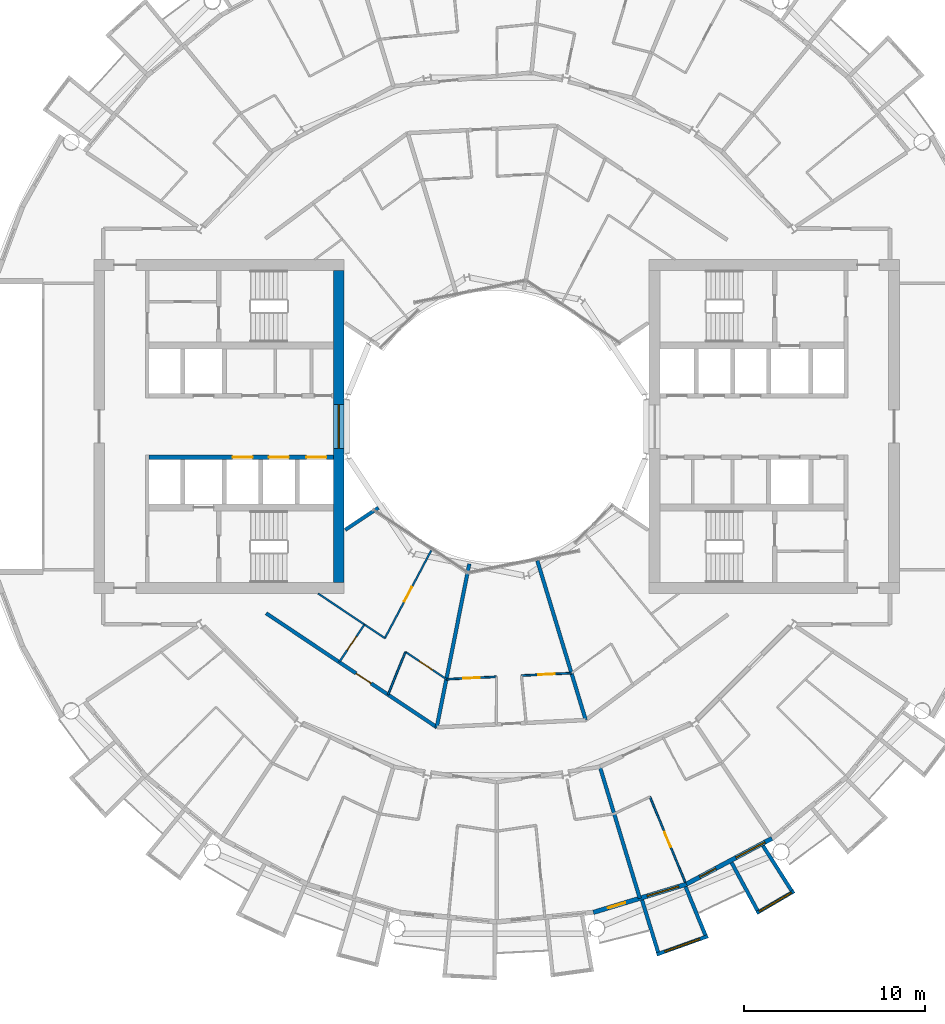
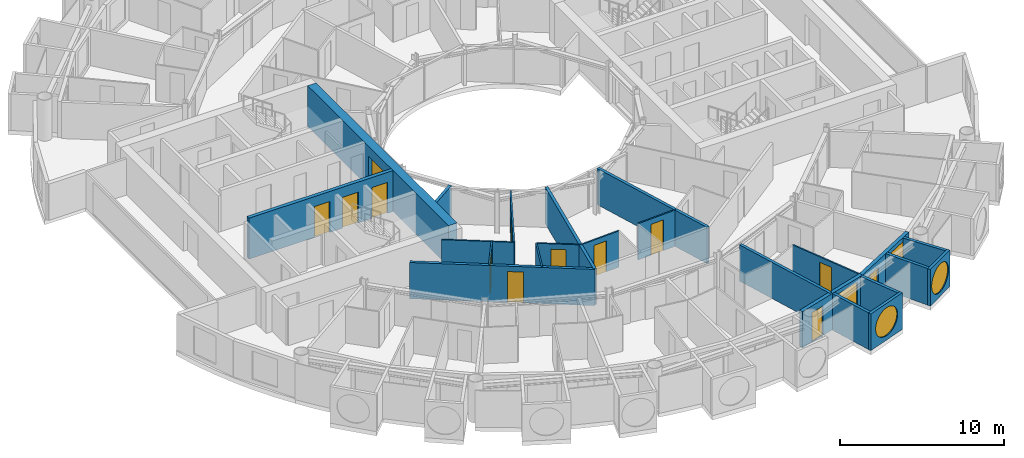
# One storey, part 16 of 26: 23 walls, 12 doors, 5 windows, 17 openings.
"""IFC4 building model written with IfcOpenShell, lengths in metres."""

from ifc_helpers import new_model, si_unit, direction, frame, frame_2d, origin, place, context, subcontext, project, spatial, rectangle, circle, extrude, material, layer, layer_set, type_object, element, fill, save


model = new_model("IFC4")

# Units and contexts
model_context = context("Model", 3, precision=1e-05, world=origin(), true_north=direction((0.0, 1.0)))
body_context = subcontext(model_context, "Body", "Model", "MODEL_VIEW")
ifc_project = project(units=[si_unit("LENGTHUNIT", "METRE"), si_unit("AREAUNIT", "SQUARE_METRE"), si_unit("VOLUMEUNIT", "CUBIC_METRE"), si_unit("PLANEANGLEUNIT", "RADIAN"), si_unit("MASSUNIT", "GRAM", prefix="KILO")], contexts=[model_context])

# Site, building, storey
site_placement = place(None, origin())
site = spatial("IfcSite", under=ifc_project, at=site_placement, CompositionType="ELEMENT")
building_placement = place(site_placement, origin())
building = spatial("IfcBuilding", under=site, at=building_placement, Name="Maasbend Ring Residences", CompositionType="ELEMENT")
storey_placement = place(building_placement, frame((0.0, 0.0, 123.85009765625)))
storey = spatial("IfcBuildingStorey", under=building, at=storey_placement, Name="L35", CompositionType="ELEMENT", Elevation=123.85009765625)

# Wall, openings, doors
ifc_material_1 = material(Name="Concrete C60/75", Category="concrete")
ifc_layer_1 = layer(ifc_material_1, 0.25)
ifc_layer_set_1 = layer_set([ifc_layer_1], Name="Concrete C60/75")
wall_type_1 = type_object("IfcWallType", Name="CORE WALL 250 C60/75", PredefinedType="SHEAR", material=ifc_layer_set_1)
wall_1_placement = place(storey_placement, frame((-9.0, -1.699951171875, 0.0), z_axis=(0.0, 0.0, 1.0), x_axis=(-1.0, 0.0, 0.0)))
wall_1 = element("IfcWall", 1, at=wall_1_placement, inside=storey, type_object=wall_type_1, Name="L35 core W wall SPN", PredefinedType="SHEAR", context=body_context, shape_type="SweptSolid", body=[
    extrude(rectangle(XDim=10.14990234375, YDim=0.25, at=frame_2d((5.074951171875, 0.0))), origin(), (0.0, 0.0, 1.0), 3.0498046875),
])
opening_1_placement = place(wall_1_placement, frame((0.387451171875, 0.0, 0.0)))
opening_1 = element("IfcOpeningElement", 2, at=opening_1_placement, cuts=wall_1, Name="Opening LD-W3501", PredefinedType="OPENING", context=body_context, shape_type="SweptSolid", body=[
    extrude(rectangle(XDim=1.10009765625, YDim=2.300048828125, at=frame_2d((0.550048828125, 1.14990234375))), frame((0.0, 0.135009765625, 0.0), z_axis=(0.0, -1.0, 0.0), x_axis=(1.0, 0.0, 0.0)), (0.0, 0.0, 1.0), 0.27001953125),
])
opening_2_placement = place(wall_1_placement, frame((2.449951171875, 0.0, 0.0)))
opening_2 = element("IfcOpeningElement", 3, at=opening_2_placement, cuts=wall_1, Name="Opening LD-W3502", PredefinedType="OPENING", context=body_context, shape_type="SweptSolid", body=[
    extrude(rectangle(XDim=1.10009765625, YDim=2.300048828125, at=frame_2d((0.550048828125, 1.14990234375))), frame((0.0, 0.135009765625, 0.0), z_axis=(0.0, -1.0, 0.0), x_axis=(1.0, 0.0, 0.0)), (0.0, 0.0, 1.0), 0.27001953125),
])
opening_3_placement = place(wall_1_placement, frame((4.449951171875, 0.0, 0.0)))
opening_3 = element("IfcOpeningElement", 4, at=opening_3_placement, cuts=wall_1, Name="Opening LD-W3503", PredefinedType="OPENING", context=body_context, shape_type="SweptSolid", body=[
    extrude(rectangle(XDim=1.10009765625, YDim=2.300048828125, at=frame_2d((0.550048828125, 1.14990234375))), frame((0.0, 0.135009765625, 0.0), z_axis=(0.0, -1.0, 0.0), x_axis=(1.0, 0.0, 0.0)), (0.0, 0.0, 1.0), 0.27001953125),
])
ifc_material_2 = material(Name="Stainless steel 316", Category="steel")
door_type_1 = type_object("IfcDoorType", Name="LANDING DOOR 1100 X 2300 FD60", OperationType="DOUBLE_DOOR_SLIDING", PredefinedType="DOOR", material=ifc_material_2)
door_1_placement = place(opening_1_placement, origin())
door_1 = element("IfcDoor", 5, at=door_1_placement, inside=storey, type_object=door_type_1, Name="Landing door LR-W1 L35", OperationType="DOUBLE_DOOR_SLIDING", OverallHeight=2.300048828125, OverallWidth=1.10009765625, PredefinedType="DOOR", context=body_context, shape_type="SweptSolid", body=[
    extrude(rectangle(XDim=1.10009765625, YDim=2.300048828125, at=frame_2d((0.550048828125, 1.14990234375))), frame((0.0, 0.02490234375, 0.0), z_axis=(0.0, -1.0, 0.0), x_axis=(1.0, 0.0, 0.0)), (0.0, 0.0, 1.0), 0.050048828125),
])
fill(opening_1, door_1)
door_2_placement = place(opening_2_placement, origin())
door_2 = element("IfcDoor", 6, at=door_2_placement, inside=storey, type_object=door_type_1, Name="Landing door LR-W2 L35", OperationType="DOUBLE_DOOR_SLIDING", OverallHeight=2.300048828125, OverallWidth=1.10009765625, PredefinedType="DOOR", context=body_context, shape_type="SweptSolid", body=[
    extrude(rectangle(XDim=1.10009765625, YDim=2.300048828125, at=frame_2d((0.550048828125, 1.14990234375))), frame((0.0, 0.02490234375, 0.0), z_axis=(0.0, -1.0, 0.0), x_axis=(1.0, 0.0, 0.0)), (0.0, 0.0, 1.0), 0.050048828125),
])
fill(opening_2, door_2)
door_3_placement = place(opening_3_placement, origin())
door_3 = element("IfcDoor", 7, at=door_3_placement, inside=storey, type_object=door_type_1, Name="Landing door LR-W3 L35", OperationType="DOUBLE_DOOR_SLIDING", OverallHeight=2.300048828125, OverallWidth=1.10009765625, PredefinedType="DOOR", context=body_context, shape_type="SweptSolid", body=[
    extrude(rectangle(XDim=1.10009765625, YDim=2.300048828125, at=frame_2d((0.550048828125, 1.14990234375))), frame((0.0, 0.02490234375, 0.0), z_axis=(0.0, -1.0, 0.0), x_axis=(1.0, 0.0, 0.0)), (0.0, 0.0, 1.0), 0.050048828125),
])
fill(opening_3, door_3)

# Wall, opening, window
ifc_material_3 = material(Name="Concrete C60/75", Category="concrete")
ifc_layer_2 = layer(ifc_material_3, 0.60009765625)
ifc_layer_set_2 = layer_set([ifc_layer_2], Name="Concrete C60/75")
wall_type_2 = type_object("IfcWallType", Name="CORE WALL 600 C60/75", PredefinedType="SHEAR", material=ifc_layer_set_2)
wall_2_placement = place(storey_placement, frame((-8.699951171875, 8.60009765625, 0.0), z_axis=(0.0, 0.0, 1.0), x_axis=(0.0, -1.0, 0.0)))
wall_2 = element("IfcWall", 8, at=wall_2_placement, inside=storey, type_object=wall_type_2, Name="L35 core W wall PIN", PredefinedType="SHEAR", context=body_context, shape_type="SweptSolid", body=[
    extrude(rectangle(XDim=17.2001953125, YDim=0.60009765625, at=frame_2d((8.60009765625, 0.0))), origin(), (0.0, 0.0, 1.0), 3.0498046875),
])
opening_4_placement = place(wall_2_placement, frame((7.39990234375, 0.0, 0.10009765625)))
opening_4 = element("IfcOpeningElement", 9, at=opening_4_placement, cuts=wall_2, Name="Opening W-W3501", PredefinedType="OPENING", context=body_context, shape_type="SweptSolid", body=[
    extrude(rectangle(XDim=2.39990234375, YDim=2.199951171875, at=frame_2d((1.199951171875, 1.10009765625))), frame((0.0, 0.31005859375, 0.0), z_axis=(0.0, -1.0, 0.0), x_axis=(1.0, 0.0, 0.0)), (0.0, 0.0, 1.0), 0.6201171875),
])
ifc_material_4 = material(Name="Aluminium frame and clear glass", Category="aluminium")
window_type_1 = type_object("IfcWindowType", Name="FIXED WINDOW 2400 X 2200", PartitioningType="SINGLE_PANEL", PredefinedType="WINDOW", material=ifc_material_4)
window_1_placement = place(opening_4_placement, origin())
window_1 = element("IfcWindow", 10, at=window_1_placement, inside=storey, type_object=window_type_1, Name="Lobby window L35", OverallHeight=2.199951171875, OverallWidth=2.39990234375, PartitioningType="SINGLE_PANEL", PredefinedType="WINDOW", context=body_context, shape_type="SweptSolid", body=[
    extrude(rectangle(XDim=2.39990234375, YDim=2.199951171875, at=frame_2d((1.199951171875, 1.10009765625))), frame((0.0, 0.030029296875, 0.0), z_axis=(0.0, -1.0, 0.0), x_axis=(1.0, 0.0, 0.0)), (0.0, 0.0, 1.0), 0.06005859375),
])
fill(opening_4, window_1)

# Wall, opening, door
ifc_material_5 = material(Name="Concrete C30/37", Category="concrete")
ifc_layer_3 = layer(ifc_material_5, 0.199951171875)
ifc_layer_set_3 = layer_set([ifc_layer_3], Name="Concrete C30/37")
wall_type_3 = type_object("IfcWallType", Name="CORRIDOR WALL 200 CONCRETE", PredefinedType="PARTITIONING", material=ifc_layer_set_3)
wall_3_placement = place(storey_placement, frame((-12.7060546875, -10.291015625, 0.0), z_axis=(0.0, 0.0, 1.0), x_axis=(0.831588572532, -0.555392155178, 0.0)))
wall_3 = element("IfcWall", 11, at=wall_3_placement, inside=storey, type_object=wall_type_3, Name="U-L35-w025", PredefinedType="PARTITIONING", context=body_context, shape_type="SweptSolid", body=[
    extrude(rectangle(XDim=11.314453125, YDim=0.199951171875, at=frame_2d((5.6572265625, 0.0))), origin(), (0.0, 0.0, 1.0), 2.699951171875),
])
opening_5_placement = place(wall_3_placement, frame((5.966064453125, 0.0, 0.0)))
opening_5 = element("IfcOpeningElement", 12, at=opening_5_placement, cuts=wall_3, Name="Opening D-3552", PredefinedType="OPENING", context=body_context, shape_type="SweptSolid", body=[
    extrude(rectangle(XDim=1.0, YDim=2.300048828125, at=frame_2d((0.5, 1.14990234375))), frame((0.0, 0.10986328125, 0.0), z_axis=(0.0, -1.0, 0.0), x_axis=(1.0, 0.0, 0.0)), (0.0, 0.0, 1.0), 0.219970703125),
])
ifc_material_6 = material(Name="Timber, fire-rated, painted", Category="wood")
door_type_2 = type_object("IfcDoorType", Name="FLAT ENTRANCE DOOR 1000 X 2300 FIRE-RATED", OperationType="NOTDEFINED", PredefinedType="DOOR", material=ifc_material_6)
door_4_placement = place(opening_5_placement, origin())
door_4 = element("IfcDoor", 13, at=door_4_placement, inside=storey, type_object=door_type_2, Name="D-3552", OperationType="SINGLE_SWING_RIGHT", OverallHeight=2.300048828125, OverallWidth=1.0, PredefinedType="DOOR", context=body_context, shape_type="SweptSolid", body=[
    extrude(rectangle(XDim=1.0, YDim=2.300048828125, at=frame_2d((0.5, 1.14990234375))), frame((0.0, 0.02490234375, 0.0), z_axis=(0.0, -1.0, 0.0), x_axis=(1.0, 0.0, 0.0)), (0.0, 0.0, 1.0), 0.050048828125),
])
fill(opening_5, door_4)

# Wall, opening, window
ifc_material_7 = material(Name="Pale anodised aluminium panel", Category="aluminium")
ifc_layer_4 = layer(ifc_material_7, 0.199951171875)
ifc_layer_set_4 = layer_set([ifc_layer_4], Name="EW-BOX")
wall_type_4 = type_object("IfcWallType", Name="EW-BOX", PredefinedType="SOLIDWALL", material=ifc_layer_set_4)
wall_4_placement = place(storey_placement, frame((8.820068359375, -29.093017578125, -0.030029296875), z_axis=(0.0, 0.0, 1.0), x_axis=(0.941461077774, 0.337121697664, 0.0)))
wall_4 = element("IfcWall", 14, at=wall_4_placement, inside=storey, type_object=wall_type_4, Name="Box front S14", PredefinedType="SOLIDWALL", context=body_context, shape_type="SweptSolid", body=[
    extrude(rectangle(XDim=2.9931640625, YDim=0.199951171875, at=frame_2d((1.49658203125, 0.0))), origin(), (0.0, 0.0, 1.0), 2.72998046875),
])
opening_6_placement = place(wall_4_placement, frame((0.45654296875, 0.0, 0.330078125)))
opening_6 = element("IfcOpeningElement", 15, at=opening_6_placement, cuts=wall_4, Name="Opening W-RD", PredefinedType="OPENING", context=body_context, shape_type="SweptSolid", body=[
    extrude(circle(Radius=1.0400390625, at=frame_2d((1.0400390625, 1.0400390625))), frame((0.0, 0.10986328125, 0.0), z_axis=(0.0, -1.0, 0.0), x_axis=(1.0, 0.0, 0.0)), (0.0, 0.0, 1.0), 0.219970703125),
])
ifc_material_8 = material(Name="Aluminium and clear glass", Category="aluminium")
window_type_2 = type_object("IfcWindowType", Name="W-RD", PartitioningType="SINGLE_PANEL", PredefinedType="WINDOW", material=ifc_material_8)
window_2_placement = place(opening_6_placement, origin())
window_2 = element("IfcWindow", 16, at=window_2_placement, inside=storey, type_object=window_type_2, Name="Round window S14", OverallHeight=2.080078125, OverallWidth=2.080078125, PartitioningType="SINGLE_PANEL", PredefinedType="WINDOW", context=body_context, shape_type="SweptSolid", body=[
    extrude(circle(Radius=1.0400390625, at=frame_2d((1.0400390625, 1.0400390625))), frame((0.0, 0.030029296875, 0.0), z_axis=(0.0, -1.0, 0.0), x_axis=(1.0, 0.0, 0.0)), (0.0, 0.0, 1.0), 0.06005859375),
])
fill(opening_6, window_2)

# Walls
wall_5_placement = place(storey_placement, frame((8.009033203125, -26.092041015625, -0.030029296875), z_axis=(0.0, 0.0, 1.0), x_axis=(0.293406695073, -0.955987715029, 0.0)))
element("IfcWall", 17, at=wall_5_placement, inside=storey, type_object=wall_type_4, Name="Box side wall S14 left", PredefinedType="SOLIDWALL", context=body_context, shape_type="SweptSolid", body=[
    extrude(rectangle(XDim=3.00634765625, YDim=0.199951171875, at=frame_2d((1.503173828125, 0.0))), origin(), (0.0, 0.0, 1.0), 2.72998046875),
])
wall_6_placement = place(storey_placement, frame((10.408935546875, -25.364013671875, -0.030029296875), z_axis=(0.0, 0.0, 1.0), x_axis=(0.379509886562, -0.925187681501, 0.0)))
element("IfcWall", 18, at=wall_6_placement, inside=storey, type_object=wall_type_4, Name="Box side wall S14 right", PredefinedType="SOLIDWALL", context=body_context, shape_type="SweptSolid", body=[
    extrude(rectangle(XDim=2.882568359375, YDim=0.199951171875, at=frame_2d((1.44140625, 0.0))), origin(), (0.0, 0.0, 1.0), 2.72998046875),
])

# Wall, opening, window
wall_7_placement = place(storey_placement, frame((14.326904296875, -26.81201171875, -0.030029296875), z_axis=(0.0, 0.0, 1.0), x_axis=(0.862762477128, 0.505609442218, 0.0)))
wall_7 = element("IfcWall", 19, at=wall_7_placement, inside=storey, type_object=wall_type_4, Name="Box front S16", PredefinedType="SOLIDWALL", context=body_context, shape_type="SweptSolid", body=[
    extrude(rectangle(XDim=2.39111328125, YDim=0.199951171875, at=frame_2d((1.195556640625, 0.0))), origin(), (0.0, 0.0, 1.0), 2.72998046875),
])
opening_7_placement = place(wall_7_placement, frame((0.15576171875, 0.0, 0.330078125)))
opening_7 = element("IfcOpeningElement", 20, at=opening_7_placement, cuts=wall_7, Name="Opening W-RD", PredefinedType="OPENING", context=body_context, shape_type="SweptSolid", body=[
    extrude(circle(Radius=1.0400390625, at=frame_2d((1.0400390625, 1.0400390625))), frame((0.0, 0.10986328125, 0.0), z_axis=(0.0, -1.0, 0.0), x_axis=(1.0, 0.0, 0.0)), (0.0, 0.0, 1.0), 0.219970703125),
])
window_3_placement = place(opening_7_placement, origin())
window_3 = element("IfcWindow", 21, at=window_3_placement, inside=storey, type_object=window_type_2, Name="Round window S16", OverallHeight=2.080078125, OverallWidth=2.080078125, PartitioningType="SINGLE_PANEL", PredefinedType="WINDOW", context=body_context, shape_type="SweptSolid", body=[
    extrude(circle(Radius=1.0400390625, at=frame_2d((1.0400390625, 1.0400390625))), frame((0.0, 0.030029296875, 0.0), z_axis=(0.0, -1.0, 0.0), x_axis=(1.0, 0.0, 0.0)), (0.0, 0.0, 1.0), 0.06005859375),
])
fill(opening_7, window_3)

# Walls
wall_8_placement = place(storey_placement, frame((12.945068359375, -24.029052734375, -0.030029296875), z_axis=(0.0, 0.0, 1.0), x_axis=(0.474424310775, -0.88029629861, 0.0)))
element("IfcWall", 22, at=wall_8_placement, inside=storey, type_object=wall_type_4, Name="Box side wall S16 left", PredefinedType="SOLIDWALL", context=body_context, shape_type="SweptSolid", body=[
    extrude(rectangle(XDim=3.005859375, YDim=0.199951171875, at=frame_2d((1.5029296875, 0.0))), origin(), (0.0, 0.0, 1.0), 2.72998046875),
])
wall_9_placement = place(storey_placement, frame((14.677978515625, -23.10205078125, -0.030029296875), z_axis=(0.0, 0.0, 1.0), x_axis=(0.536001536573, -0.844217005746, 0.0)))
element("IfcWall", 23, at=wall_9_placement, inside=storey, type_object=wall_type_4, Name="Box side wall S16 right", PredefinedType="SOLIDWALL", context=body_context, shape_type="SweptSolid", body=[
    extrude(rectangle(XDim=2.92919921875, YDim=0.199951171875, at=frame_2d((1.464599609375, 0.0))), origin(), (0.0, 0.0, 1.0), 2.72998046875),
])

# Wall, openings, door, window
ifc_material_9 = material(Name="Aluminium clad insulated panel", Category="aluminium")
ifc_layer_5 = layer(ifc_material_9, 0.25)
ifc_layer_set_5 = layer_set([ifc_layer_5], Name="EW-GL")
wall_type_5 = type_object("IfcWallType", Name="EW-GL", PredefinedType="SOLIDWALL", material=ifc_layer_set_5)
wall_10_placement = place(storey_placement, frame((5.325927734375, -26.77490234375, 0.0), z_axis=(0.0, 0.0, 1.0), x_axis=(0.956965678721, 0.290201119486, 0.0)))
wall_10 = element("IfcWall", 24, at=wall_10_placement, inside=storey, type_object=wall_type_5, Name="External wall S07", PredefinedType="SOLIDWALL", context=body_context, shape_type="SweptSolid", body=[
    extrude(rectangle(XDim=5.351318359375, YDim=0.25, at=frame_2d((2.67578125, 0.0))), origin(), (0.0, 0.0, 1.0), 2.699951171875),
])
opening_8_placement = place(wall_10_placement, frame((0.841064453125, 0.0, 0.0)))
opening_8 = element("IfcOpeningElement", 25, at=opening_8_placement, cuts=wall_10, Name="Opening D-LG", PredefinedType="OPENING", context=body_context, shape_type="SweptSolid", body=[
    extrude(rectangle(XDim=1.0, YDim=2.199951171875, at=frame_2d((0.5, 1.10009765625))), frame((0.0, 0.135009765625, 0.0), z_axis=(0.0, -1.0, 0.0), x_axis=(1.0, 0.0, 0.0)), (0.0, 0.0, 1.0), 0.27001953125),
])
opening_9_placement = place(wall_10_placement, frame((3.110595703125, 0.0, 0.300048828125)))
opening_9 = element("IfcOpeningElement", 26, at=opening_9_placement, cuts=wall_10, Name="Opening W-BX", PredefinedType="OPENING", context=body_context, shape_type="SweptSolid", body=[
    extrude(rectangle(XDim=1.800048828125, YDim=2.10009765625, at=frame_2d((0.89990234375, 1.050048828125))), frame((0.0, 0.135009765625, 0.0), z_axis=(0.0, -1.0, 0.0), x_axis=(1.0, 0.0, 0.0)), (0.0, 0.0, 1.0), 0.27001953125),
])
ifc_material_10 = material(Name="Aluminium and clear glass", Category="aluminium")
door_type_3 = type_object("IfcDoorType", Name="D-LG", OperationType="SINGLE_SWING_LEFT", PredefinedType="DOOR", material=ifc_material_10)
door_5_placement = place(opening_8_placement, origin())
door_5 = element("IfcDoor", 27, at=door_5_placement, inside=storey, type_object=door_type_3, Name="Loggia door S13", OperationType="SINGLE_SWING_LEFT", OverallHeight=2.199951171875, OverallWidth=1.0, PredefinedType="DOOR", context=body_context, shape_type="SweptSolid", body=[
    extrude(rectangle(XDim=1.0, YDim=2.199951171875, at=frame_2d((0.5, 1.10009765625))), frame((0.0, 0.02490234375, 0.0), z_axis=(0.0, -1.0, 0.0), x_axis=(1.0, 0.0, 0.0)), (0.0, 0.0, 1.0), 0.050048828125),
])
fill(opening_8, door_5)
ifc_material_11 = material(Name="Aluminium and clear glass", Category="aluminium")
window_type_3 = type_object("IfcWindowType", Name="W-BX", PartitioningType="DOUBLE_PANEL_VERTICAL", PredefinedType="WINDOW", material=ifc_material_11)
window_4_placement = place(opening_9_placement, origin())
window_4 = element("IfcWindow", 28, at=window_4_placement, inside=storey, type_object=window_type_3, Name="Window S14 room to box", OverallHeight=2.10009765625, OverallWidth=1.800048828125, PartitioningType="SINGLE_PANEL", PredefinedType="WINDOW", context=body_context, shape_type="SweptSolid", body=[
    extrude(rectangle(XDim=1.800048828125, YDim=2.10009765625, at=frame_2d((0.89990234375, 1.050048828125))), frame((0.0, 0.030029296875, 0.0), z_axis=(0.0, -1.0, 0.0), x_axis=(1.0, 0.0, 0.0)), (0.0, 0.0, 1.0), 0.06005859375),
])
fill(opening_9, window_4)

wall_11_placement = place(storey_placement, frame((10.447021484375, -25.221923828125, 0.0), z_axis=(0.0, 0.0, 1.0), x_axis=(0.881915646801, 0.471407246368, 0.0)))
wall_11 = element("IfcWall", 29, at=wall_11_placement, inside=storey, type_object=wall_type_5, Name="External wall S08", PredefinedType="SOLIDWALL", context=body_context, shape_type="SweptSolid", body=[
    extrude(rectangle(XDim=5.35205078125, YDim=0.25, at=frame_2d((2.676025390625, 0.0))), origin(), (0.0, 0.0, 1.0), 2.699951171875),
])
opening_10_placement = place(wall_11_placement, frame((0.841064453125, 0.0, 0.0)))
opening_10 = element("IfcOpeningElement", 30, at=opening_10_placement, cuts=wall_11, Name="Opening D-LG", PredefinedType="OPENING", context=body_context, shape_type="SweptSolid", body=[
    extrude(rectangle(XDim=1.0, YDim=2.199951171875, at=frame_2d((0.5, 1.10009765625))), frame((0.0, 0.135009765625, 0.0), z_axis=(0.0, -1.0, 0.0), x_axis=(1.0, 0.0, 0.0)), (0.0, 0.0, 1.0), 0.27001953125),
])
opening_11_placement = place(wall_11_placement, frame((3.110595703125, 0.0, 0.300048828125)))
opening_11 = element("IfcOpeningElement", 31, at=opening_11_placement, cuts=wall_11, Name="Opening W-BX", PredefinedType="OPENING", context=body_context, shape_type="SweptSolid", body=[
    extrude(rectangle(XDim=1.800048828125, YDim=2.10009765625, at=frame_2d((0.89990234375, 1.050048828125))), frame((0.0, 0.135009765625, 0.0), z_axis=(0.0, -1.0, 0.0), x_axis=(1.0, 0.0, 0.0)), (0.0, 0.0, 1.0), 0.27001953125),
])
door_6_placement = place(opening_10_placement, origin())
door_6 = element("IfcDoor", 32, at=door_6_placement, inside=storey, type_object=door_type_3, Name="Loggia door S15", OperationType="SINGLE_SWING_LEFT", OverallHeight=2.199951171875, OverallWidth=1.0, PredefinedType="DOOR", context=body_context, shape_type="SweptSolid", body=[
    extrude(rectangle(XDim=1.0, YDim=2.199951171875, at=frame_2d((0.5, 1.10009765625))), frame((0.0, 0.02490234375, 0.0), z_axis=(0.0, -1.0, 0.0), x_axis=(1.0, 0.0, 0.0)), (0.0, 0.0, 1.0), 0.050048828125),
])
fill(opening_10, door_6)
window_5_placement = place(opening_11_placement, origin())
window_5 = element("IfcWindow", 33, at=window_5_placement, inside=storey, type_object=window_type_3, Name="Window S16 room to box", OverallHeight=2.10009765625, OverallWidth=1.800048828125, PartitioningType="SINGLE_PANEL", PredefinedType="WINDOW", context=body_context, shape_type="SweptSolid", body=[
    extrude(rectangle(XDim=1.800048828125, YDim=2.10009765625, at=frame_2d((0.89990234375, 1.050048828125))), frame((0.0, 0.030029296875, 0.0), z_axis=(0.0, -1.0, 0.0), x_axis=(1.0, 0.0, 0.0)), (0.0, 0.0, 1.0), 0.06005859375),
])
fill(opening_11, window_5)

# Wall, opening, door
ifc_material_12 = material(Name="Gypsum board on steel studs", Category="steel")
ifc_layer_6 = layer(ifc_material_12, 0.10009765625)
ifc_layer_set_6 = layer_set([ifc_layer_6], Name="PARTITION 100 GYPSUM")
wall_type_6 = type_object("IfcWallType", Name="PARTITION 100 GYPSUM", PredefinedType="PARTITIONING", material=ifc_layer_set_6)
wall_12_placement = place(storey_placement, frame((-2.77197265625, -13.927001953125, 0.0), z_axis=(0.0, 0.0, 1.0), x_axis=(0.998787571158, 0.04922791586, 0.0)))
wall_12 = element("IfcWall", 34, at=wall_12_placement, inside=storey, type_object=wall_type_6, Name="U-L35-w026", PredefinedType="PARTITIONING", context=body_context, shape_type="SweptSolid", body=[
    extrude(rectangle(XDim=2.762451171875, YDim=0.10009765625, at=frame_2d((1.38134765625, 0.0))), origin(), (0.0, 0.0, 1.0), 2.699951171875),
])
opening_12_placement = place(wall_12_placement, frame((0.93310546875, 0.0, 0.0)))
opening_12 = element("IfcOpeningElement", 35, at=opening_12_placement, cuts=wall_12, Name="Opening D-3558", PredefinedType="OPENING", context=body_context, shape_type="SweptSolid", body=[
    extrude(rectangle(XDim=0.89990234375, YDim=2.300048828125, at=frame_2d((0.449951171875, 1.14990234375))), frame((0.0, 0.06005859375, 0.0), z_axis=(0.0, -1.0, 0.0), x_axis=(1.0, 0.0, 0.0)), (0.0, 0.0, 1.0), 0.1201171875),
])
ifc_material_13 = material(Name="Timber, painted", Category="wood")
door_type_4 = type_object("IfcDoorType", Name="INTERNAL DOOR 900 X 2300", OperationType="NOTDEFINED", PredefinedType="DOOR", material=ifc_material_13)
door_7_placement = place(opening_12_placement, origin())
door_7 = element("IfcDoor", 36, at=door_7_placement, inside=storey, type_object=door_type_4, Name="D-3558", OperationType="SINGLE_SWING_RIGHT", OverallHeight=2.300048828125, OverallWidth=0.89990234375, PredefinedType="DOOR", context=body_context, shape_type="SweptSolid", body=[
    extrude(rectangle(XDim=0.89990234375, YDim=2.300048828125, at=frame_2d((0.449951171875, 1.14990234375))), frame((0.0, 0.02490234375, 0.0), z_axis=(0.0, -1.0, 0.0), x_axis=(1.0, 0.0, 0.0)), (0.0, 0.0, 1.0), 0.050048828125),
])
fill(opening_12, door_7)

wall_13_placement = place(storey_placement, frame((1.364990234375, -13.72412109375, 0.0), z_axis=(0.0, 0.0, 1.0), x_axis=(0.99880320044, 0.048909782152, 0.0)))
wall_13 = element("IfcWall", 37, at=wall_13_placement, inside=storey, type_object=wall_type_6, Name="U-L35-w027", PredefinedType="PARTITIONING", context=body_context, shape_type="SweptSolid", body=[
    extrude(rectangle(XDim=2.760498046875, YDim=0.10009765625, at=frame_2d((1.38037109375, 0.0))), origin(), (0.0, 0.0, 1.0), 2.699951171875),
])
opening_13_placement = place(wall_13_placement, frame((0.929931640625, 0.0, 0.0)))
opening_13 = element("IfcOpeningElement", 38, at=opening_13_placement, cuts=wall_13, Name="Opening D-3557", PredefinedType="OPENING", context=body_context, shape_type="SweptSolid", body=[
    extrude(rectangle(XDim=0.89990234375, YDim=2.300048828125, at=frame_2d((0.449951171875, 1.14990234375))), frame((0.0, 0.06005859375, 0.0), z_axis=(0.0, -1.0, 0.0), x_axis=(1.0, 0.0, 0.0)), (0.0, 0.0, 1.0), 0.1201171875),
])
door_8_placement = place(opening_13_placement, origin())
door_8 = element("IfcDoor", 39, at=door_8_placement, inside=storey, type_object=door_type_4, Name="D-3557", OperationType="SINGLE_SWING_RIGHT", OverallHeight=2.300048828125, OverallWidth=0.89990234375, PredefinedType="DOOR", context=body_context, shape_type="SweptSolid", body=[
    extrude(rectangle(XDim=0.89990234375, YDim=2.300048828125, at=frame_2d((0.449951171875, 1.14990234375))), frame((0.0, 0.02490234375, 0.0), z_axis=(0.0, -1.0, 0.0), x_axis=(1.0, 0.0, 0.0)), (0.0, 0.0, 1.0), 0.050048828125),
])
fill(opening_13, door_8)

# Wall
wall_14_placement = place(storey_placement, frame((-9.843994140625, -9.201904296875, 0.0), z_axis=(0.0, 0.0, 1.0), x_axis=(0.831617979783, -0.555348121183, 0.0)))
element("IfcWall", 40, at=wall_14_placement, inside=storey, type_object=wall_type_6, Name="U-L35-w030", PredefinedType="PARTITIONING", context=body_context, shape_type="SweptSolid", body=[
    extrude(rectangle(XDim=4.43359375, YDim=0.10009765625, at=frame_2d((2.216796875, 0.0))), origin(), (0.0, 0.0, 1.0), 2.699951171875),
])

# Wall, opening, door
wall_15_placement = place(storey_placement, frame((-5.029052734375, -12.41796875, 0.0), z_axis=(0.0, 0.0, 1.0), x_axis=(0.831538390496, -0.555467285384, 0.0)))
wall_15 = element("IfcWall", 41, at=wall_15_placement, inside=storey, type_object=wall_type_6, Name="U-L35-w031", PredefinedType="PARTITIONING", context=body_context, shape_type="SweptSolid", body=[
    extrude(rectangle(XDim=2.716796875, YDim=0.10009765625, at=frame_2d((1.3583984375, 0.0))), origin(), (0.0, 0.0, 1.0), 2.699951171875),
])
opening_14_placement = place(wall_15_placement, frame((0.907958984375, 0.0, 0.0)))
opening_14 = element("IfcOpeningElement", 42, at=opening_14_placement, cuts=wall_15, Name="Opening D-3553", PredefinedType="OPENING", context=body_context, shape_type="SweptSolid", body=[
    extrude(rectangle(XDim=0.89990234375, YDim=2.300048828125, at=frame_2d((0.449951171875, 1.14990234375))), frame((0.0, 0.06005859375, 0.0), z_axis=(0.0, -1.0, 0.0), x_axis=(1.0, 0.0, 0.0)), (0.0, 0.0, 1.0), 0.1201171875),
])
door_9_placement = place(opening_14_placement, origin())
door_9 = element("IfcDoor", 43, at=door_9_placement, inside=storey, type_object=door_type_4, Name="D-3553", OperationType="SINGLE_SWING_LEFT", OverallHeight=2.300048828125, OverallWidth=0.89990234375, PredefinedType="DOOR", context=body_context, shape_type="SweptSolid", body=[
    extrude(rectangle(XDim=0.89990234375, YDim=2.300048828125, at=frame_2d((0.449951171875, 1.14990234375))), frame((0.0, 0.02490234375, 0.0), z_axis=(0.0, -1.0, 0.0), x_axis=(1.0, 0.0, 0.0)), (0.0, 0.0, 1.0), 0.050048828125),
])
fill(opening_14, door_9)

wall_16_placement = place(storey_placement, frame((-8.675048828125, -12.98193359375, 0.0), z_axis=(0.0, 0.0, 1.0), x_axis=(0.555625883274, 0.831432425297, 0.0)))
wall_16 = element("IfcWall", 44, at=wall_16_placement, inside=storey, type_object=wall_type_6, Name="U-L35-w053", PredefinedType="PARTITIONING", context=body_context, shape_type="SweptSolid", body=[
    extrude(rectangle(XDim=2.494384765625, YDim=0.10009765625, at=frame_2d((1.2470703125, 0.0))), origin(), (0.0, 0.0, 1.0), 2.699951171875),
])
opening_15_placement = place(wall_16_placement, frame((0.798095703125, 0.0, 0.0)))
opening_15 = element("IfcOpeningElement", 45, at=opening_15_placement, cuts=wall_16, Name="Opening D-3554", PredefinedType="OPENING", context=body_context, shape_type="SweptSolid", body=[
    extrude(rectangle(XDim=0.89990234375, YDim=2.300048828125, at=frame_2d((0.449951171875, 1.14990234375))), frame((0.0, 0.06005859375, 0.0), z_axis=(0.0, -1.0, 0.0), x_axis=(1.0, 0.0, 0.0)), (0.0, 0.0, 1.0), 0.1201171875),
])
door_10_placement = place(opening_15_placement, origin())
door_10 = element("IfcDoor", 46, at=door_10_placement, inside=storey, type_object=door_type_4, Name="D-3554", OperationType="SINGLE_SWING_RIGHT", OverallHeight=2.300048828125, OverallWidth=0.89990234375, PredefinedType="DOOR", context=body_context, shape_type="SweptSolid", body=[
    extrude(rectangle(XDim=0.89990234375, YDim=2.300048828125, at=frame_2d((0.449951171875, 1.14990234375))), frame((0.0, 0.02490234375, 0.0), z_axis=(0.0, -1.0, 0.0), x_axis=(1.0, 0.0, 0.0)), (0.0, 0.0, 1.0), 0.050048828125),
])
fill(opening_15, door_10)

wall_17_placement = place(storey_placement, frame((-6.158935546875, -11.6630859375, 0.0), z_axis=(0.0, 0.0, 1.0), x_axis=(0.466976820365, 0.884269556889, 0.0)))
wall_17 = element("IfcWall", 47, at=wall_17_placement, inside=storey, type_object=wall_type_6, Name="U-L35-w056", PredefinedType="PARTITIONING", context=body_context, shape_type="SweptSolid", body=[
    extrude(rectangle(XDim=5.46923828125, YDim=0.10009765625, at=frame_2d((2.734619140625, 0.0))), origin(), (0.0, 0.0, 1.0), 2.699951171875),
])
opening_16_placement = place(wall_17_placement, frame((2.283935546875, 0.0, 0.0)))
opening_16 = element("IfcOpeningElement", 48, at=opening_16_placement, cuts=wall_17, Name="Opening D-3555", PredefinedType="OPENING", context=body_context, shape_type="SweptSolid", body=[
    extrude(rectangle(XDim=0.89990234375, YDim=2.300048828125, at=frame_2d((0.449951171875, 1.14990234375))), frame((0.0, 0.06005859375, 0.0), z_axis=(0.0, -1.0, 0.0), x_axis=(1.0, 0.0, 0.0)), (0.0, 0.0, 1.0), 0.1201171875),
])
door_11_placement = place(opening_16_placement, origin())
door_11 = element("IfcDoor", 49, at=door_11_placement, inside=storey, type_object=door_type_4, Name="D-3555", OperationType="SINGLE_SWING_LEFT", OverallHeight=2.300048828125, OverallWidth=0.89990234375, PredefinedType="DOOR", context=body_context, shape_type="SweptSolid", body=[
    extrude(rectangle(XDim=0.89990234375, YDim=2.300048828125, at=frame_2d((0.449951171875, 1.14990234375))), frame((0.0, 0.02490234375, 0.0), z_axis=(0.0, -1.0, 0.0), x_axis=(1.0, 0.0, 0.0)), (0.0, 0.0, 1.0), 0.050048828125),
])
fill(opening_16, door_11)

# Wall
wall_18_placement = place(storey_placement, frame((-5.986083984375, -14.779052734375, 0.0), z_axis=(0.0, 0.0, 1.0), x_axis=(0.375649498413, 0.926761811008, 0.0)))
element("IfcWall", 50, at=wall_18_placement, inside=storey, type_object=wall_type_6, Name="U-L35-w057", PredefinedType="PARTITIONING", context=body_context, shape_type="SweptSolid", body=[
    extrude(rectangle(XDim=2.547607421875, YDim=0.10009765625, at=frame_2d((1.27392578125, 0.0))), origin(), (0.0, 0.0, 1.0), 2.699951171875),
])

# Wall, opening, door
wall_19_placement = place(storey_placement, frame((8.445068359375, -20.406982421875, 0.0), z_axis=(0.0, 0.0, 1.0), x_axis=(0.382339082848, -0.92402209158, 0.0)))
wall_19 = element("IfcWall", 51, at=wall_19_placement, inside=storey, type_object=wall_type_6, Name="U-L35-w083", PredefinedType="PARTITIONING", context=body_context, shape_type="SweptSolid", body=[
    extrude(rectangle(XDim=5.08984375, YDim=0.10009765625, at=frame_2d((2.544921875, 0.0))), origin(), (0.0, 0.0, 1.0), 2.699951171875),
])
opening_17_placement = place(wall_19_placement, frame((2.094970703125, 0.0, 0.0)))
opening_17 = element("IfcOpeningElement", 52, at=opening_17_placement, cuts=wall_19, Name="Opening D-3547", PredefinedType="OPENING", context=body_context, shape_type="SweptSolid", body=[
    extrude(rectangle(XDim=0.89990234375, YDim=2.300048828125, at=frame_2d((0.449951171875, 1.14990234375))), frame((0.0, 0.06005859375, 0.0), z_axis=(0.0, -1.0, 0.0), x_axis=(1.0, 0.0, 0.0)), (0.0, 0.0, 1.0), 0.1201171875),
])
door_12_placement = place(opening_17_placement, origin())
door_12 = element("IfcDoor", 53, at=door_12_placement, inside=storey, type_object=door_type_4, Name="D-3547", OperationType="SINGLE_SWING_LEFT", OverallHeight=2.300048828125, OverallWidth=0.89990234375, PredefinedType="DOOR", context=body_context, shape_type="SweptSolid", body=[
    extrude(rectangle(XDim=0.89990234375, YDim=2.300048828125, at=frame_2d((0.449951171875, 1.14990234375))), frame((0.0, 0.02490234375, 0.0), z_axis=(0.0, -1.0, 0.0), x_axis=(1.0, 0.0, 0.0)), (0.0, 0.0, 1.0), 0.050048828125),
])
fill(opening_17, door_12)

# Walls
ifc_material_14 = material(Name="Concrete C30/37", Category="concrete")
ifc_layer_7 = layer(ifc_material_14, 0.199951171875)
ifc_layer_set_7 = layer_set([ifc_layer_7], Name="Concrete C30/37")
wall_type_7 = type_object("IfcWallType", Name="PARTY WALL 200 CONCRETE", PredefinedType="PARTITIONING", material=ifc_layer_set_7)
wall_20_placement = place(storey_placement, frame((-6.512939453125, -4.471923828125, 0.0), z_axis=(0.0, 0.0, 1.0), x_axis=(-0.831333375071, -0.555774072347, 0.0)))
element("IfcWall", 54, at=wall_20_placement, inside=storey, type_object=wall_type_7, Name="U-L35-w034", PredefinedType="PARTITIONING", context=body_context, shape_type="SweptSolid", body=[
    extrude(rectangle(XDim=2.20263671875, YDim=0.199951171875, at=frame_2d((1.101318359375, 0.0))), origin(), (0.0, 0.0, 1.0), 2.699951171875),
])
wall_21_placement = place(storey_placement, frame((-3.302001953125, -16.573974609375, 0.0), z_axis=(0.0, 0.0, 1.0), x_axis=(0.195543237077, 0.980695081273, 0.0)))
element("IfcWall", 55, at=wall_21_placement, inside=storey, type_object=wall_type_7, Name="U-L35-w060", PredefinedType="PARTITIONING", context=body_context, shape_type="SweptSolid", body=[
    extrude(rectangle(XDim=9.17919921875, YDim=0.199951171875, at=frame_2d((4.589599609375, 0.0))), origin(), (0.0, 0.0, 1.0), 2.699951171875),
])
wall_22_placement = place(storey_placement, frame((2.239990234375, -7.387939453125, 0.0), z_axis=(0.0, 0.0, 1.0), x_axis=(0.290420725025, -0.956899055531, 0.0)))
element("IfcWall", 56, at=wall_22_placement, inside=storey, type_object=wall_type_7, Name="U-L35-w072", PredefinedType="PARTITIONING", context=body_context, shape_type="SweptSolid", body=[
    extrude(rectangle(XDim=9.179931640625, YDim=0.199951171875, at=frame_2d((4.58984375, 0.0))), origin(), (0.0, 0.0, 1.0), 2.699951171875),
])
wall_23_placement = place(storey_placement, frame((5.68994140625, -18.756103515625, 0.0), z_axis=(0.0, 0.0, 1.0), x_axis=(0.290448401467, -0.95689065524, 0.0)))
element("IfcWall", 57, at=wall_23_placement, inside=storey, type_object=wall_type_7, Name="U-L35-w078", PredefinedType="PARTITIONING", context=body_context, shape_type="SweptSolid", body=[
    extrude(rectangle(XDim=7.57421875, YDim=0.199951171875, at=frame_2d((3.787109375, 0.0))), origin(), (0.0, 0.0, 1.0), 2.699951171875),
])

save(model, "model.ifc")
